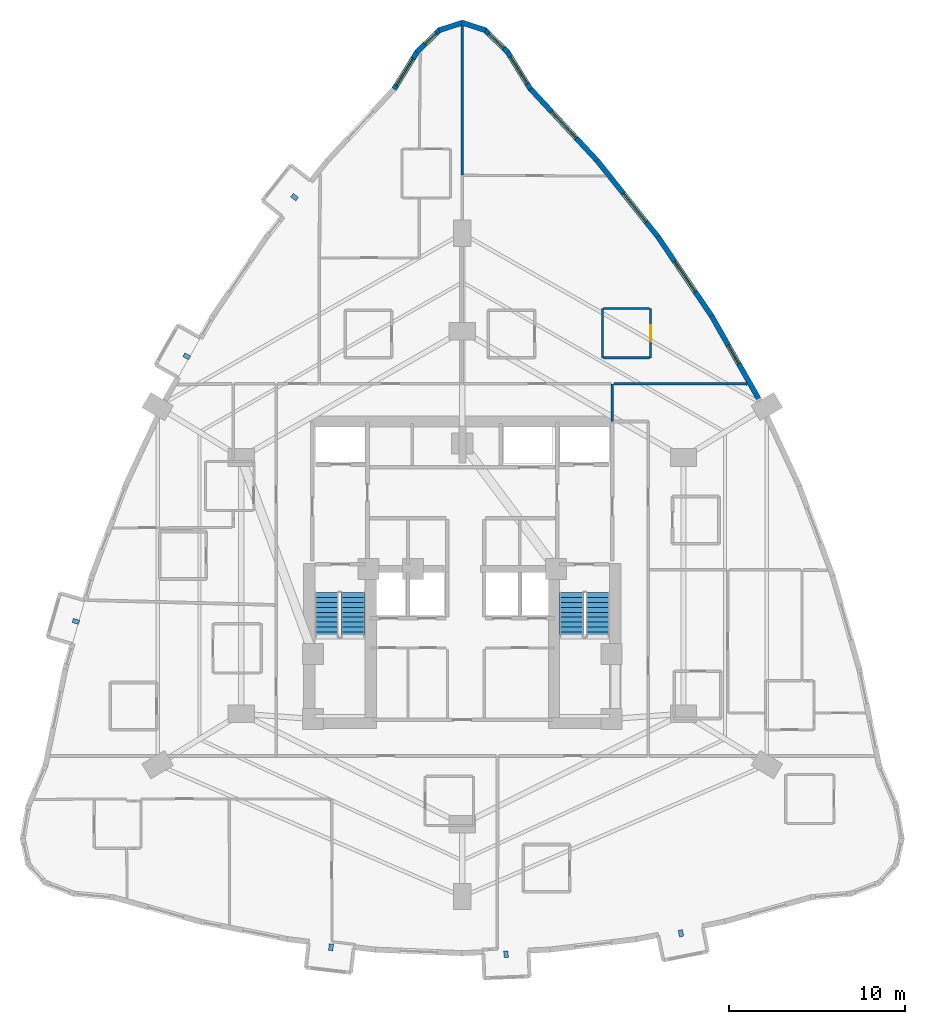
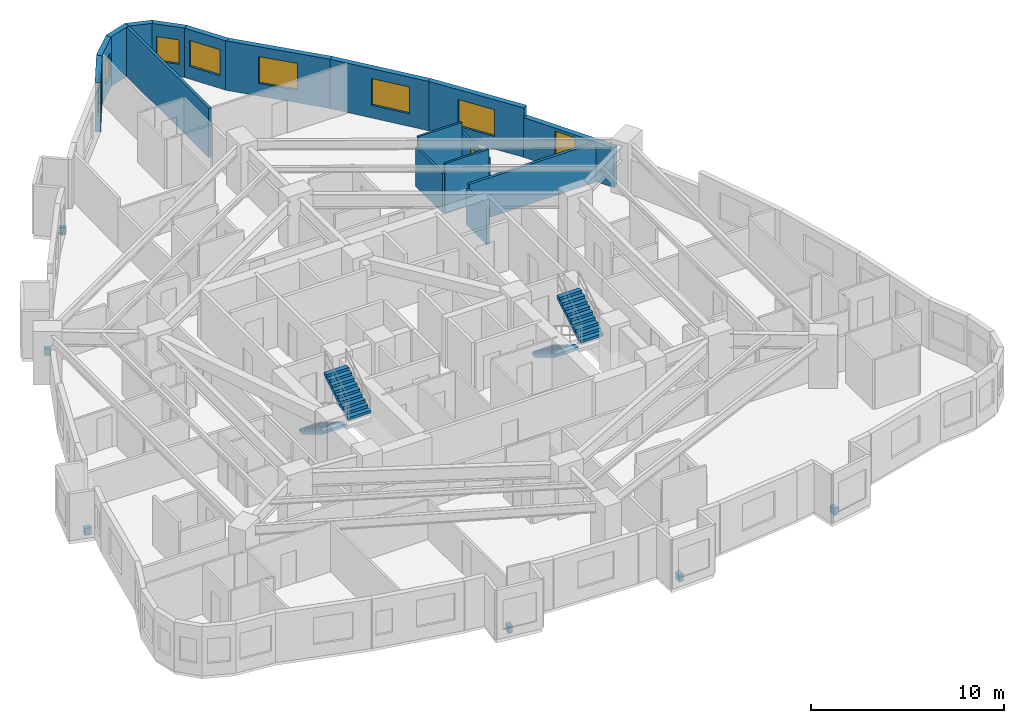
# One storey, part 14 of 15: 17 walls, 8 windows, 6 discrete accessories, 4 stair flights, 1 door, 9 openings, 2 elements without a shape of their own.
"""IFC4 building model written with IfcOpenShell, lengths in metres."""

from ifc_helpers import new_model, si_unit, direction, frame, frame_2d, origin, origin_2d, place, context, subcontext, project, spatial, polyline, rectangle, outline, extrude, material, layer, layer_set, type_object, element, fill, aggregate, save


model = new_model("IFC4")

# Units and contexts
model_context = context("Model", 3, precision=1e-05, world=origin(), true_north=direction((0.0, 1.0)))
body_context = subcontext(model_context, "Body", "Model", "MODEL_VIEW")
ifc_project = project(units=[si_unit("LENGTHUNIT", "METRE"), si_unit("AREAUNIT", "SQUARE_METRE"), si_unit("VOLUMEUNIT", "CUBIC_METRE"), si_unit("PLANEANGLEUNIT", "RADIAN"), si_unit("MASSUNIT", "GRAM", prefix="KILO")], contexts=[model_context])

# Site, building, storey
site_placement = place(None, origin())
site = spatial("IfcSite", under=ifc_project, at=site_placement, CompositionType="ELEMENT")
building_placement = place(site_placement, origin())
building = spatial("IfcBuilding", under=site, at=building_placement, Name="Miruveldt Soraemaru", CompositionType="ELEMENT")
storey_placement = place(building_placement, frame((0.0, 0.0, 36.0)))
storey = spatial("IfcBuildingStorey", under=building, at=storey_placement, Name="L09", CompositionType="ELEMENT", Elevation=36.0)

# Wall, opening, window
ifc_material_1 = material(Name="Precast concrete C45/55 (45 MPa)", Category="concrete")
ifc_layer_1 = layer(ifc_material_1, 0.300048828125, Name="Precast concrete C45/55 (45 MPa)", Category="concrete")
ifc_layer_set_1 = layer_set([ifc_layer_1], Name="Precast concrete C45/55 (45 MPa)")
wall_type_1 = type_object("IfcWallType", Name="WALL-EXT-PC300", PredefinedType="SOLIDWALL", material=ifc_layer_set_1)
wall_1_placement = place(storey_placement, frame((47.8857421875, 71.392578125, 0.0), z_axis=(0.0, 0.0, 1.0), x_axis=(-0.526057803578, 0.850448815212, 0.0)))
wall_1 = element("IfcWall", 1, at=wall_1_placement, inside=storey, type_object=wall_type_1, Name="L09 Precast Concrete Facade Wall 1", PredefinedType="SOLIDWALL", context=body_context, shape_type="SweptSolid", body=[
    extrude(rectangle(XDim=2.5205078125, YDim=0.300048828125, at=frame_2d((1.26025390625, 0.0))), origin(), (0.0, 0.0, 1.0), 3.125),
])
opening_1_placement = place(wall_1_placement, frame((0.360107421875, 0.0, 0.800048828125)))
opening_1 = element("IfcOpeningElement", 2, at=opening_1_placement, cuts=wall_1, Name="Opening WN-2", PredefinedType="OPENING", context=body_context, shape_type="SweptSolid", body=[
    extrude(rectangle(XDim=1.800048828125, YDim=1.64990234375, at=frame_2d((0.89990234375, 0.824951171875))), frame((0.0, 0.16015625, 0.0), z_axis=(0.0, -1.0, 0.0), x_axis=(1.0, 0.0, 0.0)), (0.0, 0.0, 1.0), 0.320068359375),
])
ifc_material_2 = material(Name="Triple low-e insulated glazing", Category="glass")
window_type_1 = type_object("IfcWindowType", Name="WIN-PUNCH-1800x1650", PartitioningType="SINGLE_PANEL", PredefinedType="WINDOW", material=ifc_material_2)
window_1_placement = place(opening_1_placement, origin())
window_1 = element("IfcWindow", 3, at=window_1_placement, inside=storey, type_object=window_type_1, Name="L09 Punched Triple-Glazed Window 01.1", OverallHeight=1.64990234375, OverallWidth=1.800048828125, PartitioningType="SINGLE_PANEL", PredefinedType="WINDOW", context=body_context, shape_type="SweptSolid", body=[
    extrude(rectangle(XDim=1.800048828125, YDim=1.64990234375, at=frame_2d((0.89990234375, 0.824951171875))), frame((0.0, 0.030029296875, 0.0), z_axis=(0.0, -1.0, 0.0), x_axis=(1.0, 0.0, 0.0)), (0.0, 0.0, 1.0), 0.06005859375),
])
fill(opening_1, window_1)

wall_2_placement = place(storey_placement, frame((46.603271484375, 73.48193359375, 0.0), z_axis=(0.0, 0.0, 1.0), x_axis=(-0.717753754605, 0.696297025521, 0.0)))
wall_2 = element("IfcWall", 4, at=wall_2_placement, inside=storey, type_object=wall_type_1, Name="L09 Precast Concrete Facade Wall 2", PredefinedType="SOLIDWALL", context=body_context, shape_type="SweptSolid", body=[
    extrude(rectangle(XDim=1.865966796875, YDim=0.300048828125, at=frame_2d((0.93310546875, 0.0))), origin(), (0.0, 0.0, 1.0), 3.125),
])
opening_2_placement = place(wall_2_placement, frame((0.3330078125, 0.0, 0.780029296875)))
opening_2 = element("IfcOpeningElement", 5, at=opening_2_placement, cuts=wall_2, Name="Opening WN-4", PredefinedType="OPENING", context=body_context, shape_type="SweptSolid", body=[
    extrude(rectangle(XDim=1.199951171875, YDim=1.550048828125, at=frame_2d((0.60009765625, 0.77490234375))), frame((0.0, 0.16015625, 0.0), z_axis=(0.0, -1.0, 0.0), x_axis=(1.0, 0.0, 0.0)), (0.0, 0.0, 1.0), 0.320068359375),
])
window_type_2 = type_object("IfcWindowType", Name="WIN-PUNCH-1200x1550", PartitioningType="SINGLE_PANEL", PredefinedType="WINDOW", material=ifc_material_2)
window_2_placement = place(opening_2_placement, origin())
window_2 = element("IfcWindow", 6, at=window_2_placement, inside=storey, type_object=window_type_2, Name="L09 Punched Triple-Glazed Window 02.1", OverallHeight=1.550048828125, OverallWidth=1.199951171875, PartitioningType="SINGLE_PANEL", PredefinedType="WINDOW", context=body_context, shape_type="SweptSolid", body=[
    extrude(rectangle(XDim=1.199951171875, YDim=1.550048828125, at=frame_2d((0.60009765625, 0.77490234375))), frame((0.0, 0.030029296875, 0.0), z_axis=(0.0, -1.0, 0.0), x_axis=(1.0, 0.0, 0.0)), (0.0, 0.0, 1.0), 0.06005859375),
])
fill(opening_2, window_2)

# Walls
for number, where, z_axis, x_axis, name in (
    (7, (45.322509765625, 74.74609375, 0.0), (0.0, 0.0, 1.0), (-0.951522717075, 0.307578475986, 0.0), "L09 Precast Concrete Facade Wall 3"),
    (8, (44.033203125, 75.184326171875, 0.0), (0.0, 0.0, 1.0), (-0.951522717075, -0.307578475986, 0.0), "L09 Precast Concrete Facade Wall 4"),
):
    element("IfcWall", number, at=place(storey_placement, frame(where, z_axis=z_axis, x_axis=x_axis)), inside=storey, type_object=wall_type_1, Name=name, PredefinedType="SOLIDWALL", context=body_context, shape_type="SweptSolid", body=[
        extrude(rectangle(XDim=1.4248046875, YDim=0.300048828125, at=frame_2d((0.71240234375, 0.0))), origin(), (0.0, 0.0, 1.0), 3.125),
    ])

# Wall, opening, window
wall_3_placement = place(storey_placement, frame((42.736083984375, 74.78125, 0.0), z_axis=(0.0, 0.0, 1.0), x_axis=(-0.717753754605, -0.696297025521, 0.0)))
wall_3 = element("IfcWall", 9, at=wall_3_placement, inside=storey, type_object=wall_type_1, Name="L09 Precast Concrete Facade Wall 5", PredefinedType="SOLIDWALL", context=body_context, shape_type="SweptSolid", body=[
    extrude(rectangle(XDim=1.865966796875, YDim=0.300048828125, at=frame_2d((0.93310546875, 0.0))), origin(), (0.0, 0.0, 1.0), 3.125),
])
opening_3_placement = place(wall_3_placement, frame((0.294921875, 0.0, 0.780029296875)))
opening_3 = element("IfcOpeningElement", 10, at=opening_3_placement, cuts=wall_3, Name="Opening WN-7", PredefinedType="OPENING", context=body_context, shape_type="SweptSolid", body=[
    extrude(rectangle(XDim=0.89990234375, YDim=1.5, at=frame_2d((0.449951171875, 0.75))), frame((0.0, 0.16015625, 0.0), z_axis=(0.0, -1.0, 0.0), x_axis=(1.0, 0.0, 0.0)), (0.0, 0.0, 1.0), 0.320068359375),
])
window_type_3 = type_object("IfcWindowType", Name="WIN-PUNCH-900x1500", PartitioningType="SINGLE_PANEL", PredefinedType="WINDOW", material=ifc_material_2)
window_3_placement = place(opening_3_placement, origin())
window_3 = element("IfcWindow", 11, at=window_3_placement, inside=storey, type_object=window_type_3, Name="L09 Punched Triple-Glazed Window 05.1", OverallHeight=1.5, OverallWidth=0.89990234375, PartitioningType="SINGLE_PANEL", PredefinedType="WINDOW", context=body_context, shape_type="SweptSolid", body=[
    extrude(rectangle(XDim=0.89990234375, YDim=1.5, at=frame_2d((0.449951171875, 0.75))), frame((0.0, 0.030029296875, 0.0), z_axis=(0.0, -1.0, 0.0), x_axis=(1.0, 0.0, 0.0)), (0.0, 0.0, 1.0), 0.06005859375),
])
fill(opening_3, window_3)

wall_4_placement = place(storey_placement, frame((41.440185546875, 73.5361328125, 0.0), z_axis=(0.0, 0.0, 1.0), x_axis=(-0.526057803578, -0.850448815212, 0.0)))
wall_4 = element("IfcWall", 12, at=wall_4_placement, inside=storey, type_object=wall_type_1, Name="L09 Precast Concrete Facade Wall 6", PredefinedType="SOLIDWALL", context=body_context, shape_type="SweptSolid", body=[
    extrude(rectangle(XDim=2.5205078125, YDim=0.300048828125, at=frame_2d((1.26025390625, 0.0))), origin(), (0.0, 0.0, 1.0), 3.125),
])
opening_4_placement = place(wall_4_placement, frame((0.468994140625, 0.0, 0.800048828125)))
opening_4 = element("IfcOpeningElement", 13, at=opening_4_placement, cuts=wall_4, Name="Opening WN-2", PredefinedType="OPENING", context=body_context, shape_type="SweptSolid", body=[
    extrude(rectangle(XDim=1.800048828125, YDim=1.64990234375, at=frame_2d((0.89990234375, 0.824951171875))), frame((0.0, 0.16015625, 0.0), z_axis=(0.0, -1.0, 0.0), x_axis=(1.0, 0.0, 0.0)), (0.0, 0.0, 1.0), 0.320068359375),
])
window_4_placement = place(opening_4_placement, origin())
window_4 = element("IfcWindow", 14, at=window_4_placement, inside=storey, type_object=window_type_1, Name="L09 Punched Triple-Glazed Window 06.1", OverallHeight=1.64990234375, OverallWidth=1.800048828125, PartitioningType="SINGLE_PANEL", PredefinedType="WINDOW", context=body_context, shape_type="SweptSolid", body=[
    extrude(rectangle(XDim=1.800048828125, YDim=1.64990234375, at=frame_2d((0.89990234375, 0.824951171875))), frame((0.0, 0.030029296875, 0.0), z_axis=(0.0, -1.0, 0.0), x_axis=(1.0, 0.0, 0.0)), (0.0, 0.0, 1.0), 0.06005859375),
])
fill(opening_4, window_4)

wall_5_placement = place(storey_placement, frame((60.915771484375, 53.69189453125, 0.0), z_axis=(0.0, 0.0, 1.0), x_axis=(-0.493368677129, 0.869820296629, 0.0)))
wall_5 = element("IfcWall", 15, at=wall_5_placement, inside=storey, type_object=wall_type_1, Name="L09 Precast Concrete Facade Wall 39", PredefinedType="SOLIDWALL", context=body_context, shape_type="SweptSolid", body=[
    extrude(rectangle(XDim=5.500244140625, YDim=0.300048828125, at=frame_2d((2.75, 0.0))), origin(), (0.0, 0.0, 1.0), 2.512939453125),
])
opening_5_placement = place(wall_5_placement, frame((2.35595703125, 0.0, 0.780029296875)))
opening_5 = element("IfcOpeningElement", 16, at=opening_5_placement, cuts=wall_5, Name="Opening WN-4", PredefinedType="OPENING", context=body_context, shape_type="SweptSolid", body=[
    extrude(rectangle(XDim=1.199951171875, YDim=1.550048828125, at=frame_2d((0.60009765625, 0.77490234375))), frame((0.0, 0.16015625, 0.0), z_axis=(0.0, -1.0, 0.0), x_axis=(1.0, 0.0, 0.0)), (0.0, 0.0, 1.0), 0.320068359375),
])
window_5_placement = place(opening_5_placement, origin())
window_5 = element("IfcWindow", 17, at=window_5_placement, inside=storey, type_object=window_type_2, Name="L09 Punched Triple-Glazed Window 39.1", OverallHeight=1.550048828125, OverallWidth=1.199951171875, PartitioningType="SINGLE_PANEL", PredefinedType="WINDOW", context=body_context, shape_type="SweptSolid", body=[
    extrude(rectangle(XDim=1.199951171875, YDim=1.550048828125, at=frame_2d((0.60009765625, 0.77490234375))), frame((0.0, 0.030029296875, 0.0), z_axis=(0.0, -1.0, 0.0), x_axis=(1.0, 0.0, 0.0)), (0.0, 0.0, 1.0), 0.06005859375),
])
fill(opening_5, window_5)

wall_6_placement = place(storey_placement, frame((58.239013671875, 58.416748046875, 0.0), z_axis=(0.0, 0.0, 1.0), x_axis=(-0.560813032948, 0.827942475101, 0.0)))
wall_6 = element("IfcWall", 18, at=wall_6_placement, inside=storey, type_object=wall_type_1, Name="L09 Precast Concrete Facade Wall 40", PredefinedType="SOLIDWALL", context=body_context, shape_type="SweptSolid", body=[
    extrude(rectangle(XDim=5.534912109375, YDim=0.300048828125, at=frame_2d((2.767578125, 0.0))), origin(), (0.0, 0.0, 1.0), 3.125),
])
opening_6_placement = place(wall_6_placement, frame((1.718017578125, 0.0, 0.800048828125)))
opening_6 = element("IfcOpeningElement", 19, at=opening_6_placement, cuts=wall_6, Name="Opening WN-1", PredefinedType="OPENING", context=body_context, shape_type="SweptSolid", body=[
    extrude(rectangle(XDim=2.10009765625, YDim=1.699951171875, at=frame_2d((1.050048828125, 0.85009765625))), frame((0.0, 0.16015625, 0.0), z_axis=(0.0, -1.0, 0.0), x_axis=(1.0, 0.0, 0.0)), (0.0, 0.0, 1.0), 0.320068359375),
])
window_type_4 = type_object("IfcWindowType", Name="WIN-PUNCH-2100x1700", PartitioningType="SINGLE_PANEL", PredefinedType="WINDOW", material=ifc_material_2)
window_6_placement = place(opening_6_placement, origin())
window_6 = element("IfcWindow", 20, at=window_6_placement, inside=storey, type_object=window_type_4, Name="L09 Punched Triple-Glazed Window 40.1", OverallHeight=1.699951171875, OverallWidth=2.10009765625, PartitioningType="SINGLE_PANEL", PredefinedType="WINDOW", context=body_context, shape_type="SweptSolid", body=[
    extrude(rectangle(XDim=2.10009765625, YDim=1.699951171875, at=frame_2d((1.050048828125, 0.85009765625))), frame((0.0, 0.030029296875, 0.0), z_axis=(0.0, -1.0, 0.0), x_axis=(1.0, 0.0, 0.0)), (0.0, 0.0, 1.0), 0.06005859375),
])
fill(opening_6, window_6)

wall_7_placement = place(storey_placement, frame((55.17626953125, 62.94287109375, 0.0), z_axis=(0.0, 0.0, 1.0), x_axis=(-0.623615831151, 0.781730960841, 0.0)))
wall_7 = element("IfcWall", 21, at=wall_7_placement, inside=storey, type_object=wall_type_1, Name="L09 Precast Concrete Facade Wall 41", PredefinedType="SOLIDWALL", context=body_context, shape_type="SweptSolid", body=[
    extrude(rectangle(XDim=5.603515625, YDim=0.300048828125, at=frame_2d((2.8017578125, 0.0))), origin(), (0.0, 0.0, 1.0), 3.125),
])
opening_7_placement = place(wall_7_placement, frame((1.126953125, 0.0, 0.800048828125)))
opening_7 = element("IfcOpeningElement", 22, at=opening_7_placement, cuts=wall_7, Name="Opening WN-1", PredefinedType="OPENING", context=body_context, shape_type="SweptSolid", body=[
    extrude(rectangle(XDim=2.10009765625, YDim=1.699951171875, at=frame_2d((1.050048828125, 0.85009765625))), frame((0.0, 0.16015625, 0.0), z_axis=(0.0, -1.0, 0.0), x_axis=(1.0, 0.0, 0.0)), (0.0, 0.0, 1.0), 0.320068359375),
])
window_7_placement = place(opening_7_placement, origin())
window_7 = element("IfcWindow", 23, at=window_7_placement, inside=storey, type_object=window_type_4, Name="L09 Punched Triple-Glazed Window 41.1", OverallHeight=1.699951171875, OverallWidth=2.10009765625, PartitioningType="SINGLE_PANEL", PredefinedType="WINDOW", context=body_context, shape_type="SweptSolid", body=[
    extrude(rectangle(XDim=2.10009765625, YDim=1.699951171875, at=frame_2d((1.050048828125, 0.85009765625))), frame((0.0, 0.030029296875, 0.0), z_axis=(0.0, -1.0, 0.0), x_axis=(1.0, 0.0, 0.0)), (0.0, 0.0, 1.0), 0.06005859375),
])
fill(opening_7, window_7)

wall_8_placement = place(storey_placement, frame((51.7275390625, 67.270263671875, 0.0), z_axis=(0.0, 0.0, 1.0), x_axis=(-0.680894211577, 0.732381780659, 0.0)))
wall_8 = element("IfcWall", 24, at=wall_8_placement, inside=storey, type_object=wall_type_1, Name="L09 Precast Concrete Facade Wall 42", PredefinedType="SOLIDWALL", context=body_context, shape_type="SweptSolid", body=[
    extrude(rectangle(XDim=5.704345703125, YDim=0.300048828125, at=frame_2d((2.85205078125, 0.0))), origin(), (0.0, 0.0, 1.0), 3.125),
])
opening_8_placement = place(wall_8_placement, frame((1.802001953125, 0.0, 0.800048828125)))
opening_8 = element("IfcOpeningElement", 25, at=opening_8_placement, cuts=wall_8, Name="Opening WN-1", PredefinedType="OPENING", context=body_context, shape_type="SweptSolid", body=[
    extrude(rectangle(XDim=2.10009765625, YDim=1.699951171875, at=frame_2d((1.050048828125, 0.85009765625))), frame((0.0, 0.16015625, 0.0), z_axis=(0.0, -1.0, 0.0), x_axis=(1.0, 0.0, 0.0)), (0.0, 0.0, 1.0), 0.320068359375),
])
window_8_placement = place(opening_8_placement, origin())
window_8 = element("IfcWindow", 26, at=window_8_placement, inside=storey, type_object=window_type_4, Name="L09 Punched Triple-Glazed Window 42.1", OverallHeight=1.699951171875, OverallWidth=2.10009765625, PartitioningType="SINGLE_PANEL", PredefinedType="WINDOW", context=body_context, shape_type="SweptSolid", body=[
    extrude(rectangle(XDim=2.10009765625, YDim=1.699951171875, at=frame_2d((1.050048828125, 0.85009765625))), frame((0.0, 0.030029296875, 0.0), z_axis=(0.0, -1.0, 0.0), x_axis=(1.0, 0.0, 0.0)), (0.0, 0.0, 1.0), 0.06005859375),
])
fill(opening_8, window_8)

# Wall, opening, door
ifc_material_3 = material(Name="Gypsum plasterboard lining", Category="gypsum")
ifc_layer_2 = layer(ifc_material_3, 0.1201171875, Name="Gypsum plasterboard lining", Category="gypsum")
ifc_layer_set_2 = layer_set([ifc_layer_2], Name="Gypsum plasterboard lining")
wall_type_2 = type_object("IfcWallType", Name="WALL-INT-P120", PredefinedType="PARTITIONING", material=ifc_layer_set_2)
wall_9_placement = place(storey_placement, frame((54.72998046875, 56.080078125, 0.0), z_axis=(0.0, 0.0, 1.0), x_axis=(0.0, 1.0, 0.0)))
wall_9 = element("IfcWall", 27, at=wall_9_placement, inside=storey, type_object=wall_type_2, Name="L09 Partition Wall 35", PredefinedType="PARTITIONING", context=body_context, shape_type="SweptSolid", body=[
    extrude(rectangle(XDim=2.7998046875, YDim=0.1201171875, at=frame_2d((1.39990234375, 0.0))), origin(), (0.0, 0.0, 1.0), 2.512939453125),
])
opening_9_placement = place(wall_9_placement, frame((0.93994140625, 0.0, 0.0)))
opening_9 = element("IfcOpeningElement", 28, at=opening_9_placement, cuts=wall_9, Name="Opening D3A", PredefinedType="OPENING", context=body_context, shape_type="SweptSolid", body=[
    extrude(rectangle(XDim=0.919921875, YDim=2.10009765625, at=frame_2d((0.4599609375, 1.050048828125))), frame((0.0, 0.070068359375, 0.0), z_axis=(0.0, -1.0, 0.0), x_axis=(1.0, 0.0, 0.0)), (0.0, 0.0, 1.0), 0.14013671875),
])
ifc_material_4 = material(Name="Anodised aluminium EN AW-6063 T6", Category="aluminium")
door_type = type_object("IfcDoorType", Name="DOOR-INT-920", OperationType="NOTDEFINED", PredefinedType="DOOR", material=ifc_material_4)
door_placement = place(opening_9_placement, origin())
door = element("IfcDoor", 29, at=door_placement, inside=storey, type_object=door_type, Name="L09 Unit CL03 KIT Door", OperationType="SINGLE_SWING_RIGHT", OverallHeight=2.10009765625, OverallWidth=0.919921875, PredefinedType="DOOR", context=body_context, shape_type="SweptSolid", body=[
    extrude(rectangle(XDim=0.919921875, YDim=2.10009765625, at=frame_2d((0.4599609375, 1.050048828125))), frame((0.0, 0.02490234375, 0.0), z_axis=(0.0, -1.0, 0.0), x_axis=(1.0, 0.0, 0.0)), (0.0, 0.0, 1.0), 0.050048828125),
])
fill(opening_9, door)

# Walls
wall_10_placement = place(storey_placement, frame((51.97998046875, 58.8798828125, 0.0), z_axis=(0.0, 0.0, 1.0), x_axis=(0.0, -1.0, 0.0)))
element("IfcWall", 30, at=wall_10_placement, inside=storey, type_object=wall_type_2, Name="L09 Partition Wall 37", PredefinedType="PARTITIONING", context=body_context, shape_type="SweptSolid", body=[
    extrude(rectangle(XDim=2.7998046875, YDim=0.1201171875, at=frame_2d((1.39990234375, 0.0))), origin(), (0.0, 0.0, 1.0), 2.512939453125),
])
for number, where, z_axis, x_axis, name in (
    (31, (54.669921875, 58.8798828125, 0.0), (0.0, 0.0, 1.0), (-1.0, 0.0, 0.0), "L09 Partition Wall 36"),
    (32, (52.0400390625, 56.080078125, 0.0), (0.0, 0.0, 1.0), (1.0, 0.0, 0.0), "L09 Partition Wall 38"),
):
    element("IfcWall", number, at=place(storey_placement, frame(where, z_axis=z_axis, x_axis=x_axis)), inside=storey, type_object=wall_type_2, Name=name, PredefinedType="PARTITIONING", context=body_context, shape_type="SweptSolid", body=[
        extrude(rectangle(XDim=2.6298828125, YDim=0.1201171875, at=frame_2d((1.31494140625, 0.0))), origin(), (0.0, 0.0, 1.0), 3.125),
    ])
ifc_material_5 = material(Name="Concrete C40/50 (40 MPa)", Category="concrete")
ifc_layer_3 = layer(ifc_material_5, 0.159912109375, Name="Concrete C40/50 (40 MPa)", Category="concrete")
ifc_layer_set_3 = layer_set([ifc_layer_3], Name="Concrete C40/50 (40 MPa)")
wall_type_3 = type_object("IfcWallType", Name="WALL-INT-RC160", PredefinedType="SOLIDWALL", material=ifc_layer_set_3)
wall_11_placement = place(storey_placement, frame((44.0, 66.48388671875, 0.0), z_axis=(0.0, 0.0, 1.0), x_axis=(0.0, 1.0, 0.0)))
element("IfcWall", 33, at=wall_11_placement, inside=storey, type_object=wall_type_3, Name="L09 Partition Wall 27", PredefinedType="SOLIDWALL", context=body_context, shape_type="SweptSolid", body=[
    extrude(rectangle(XDim=8.51611328125, YDim=0.159912109375, at=frame_2d((4.258056640625, 0.0))), origin(), (0.0, 0.0, 1.0), 3.125),
])
wall_12_placement = place(storey_placement, frame((52.633056640625, 54.60009765625, 0.0), z_axis=(0.0, 0.0, 1.0), x_axis=(0.999999867499, -0.000514783883, 0.0)))
element("IfcWall", 34, at=wall_12_placement, inside=storey, type_object=wall_type_3, Name="L09 Partition Wall 40", PredefinedType="SOLIDWALL", context=body_context, shape_type="SweptSolid", body=[
    extrude(rectangle(XDim=7.588134765625, YDim=0.159912109375, at=frame_2d((3.7939453125, 0.0))), origin(), (0.0, 0.0, 1.0), 2.512939453125),
])
wall_13_placement = place(storey_placement, frame((52.550048828125, 52.449951171875, 0.0), z_axis=(0.0, 0.0, 1.0), x_axis=(0.0, 1.0, 0.0)))
element("IfcWall", 35, at=wall_13_placement, inside=storey, type_object=wall_type_3, Name="L09 Partition Wall 8", PredefinedType="SOLIDWALL", context=body_context, shape_type="SweptSolid", body=[
    extrude(rectangle(XDim=2.14697265625, YDim=0.159912109375, at=frame_2d((1.073486328125, 0.0))), origin(), (0.0, 0.0, 1.0), 2.219970703125),
])

# Stair, stair flights
stair_type = type_object("IfcStairType", Name="STAIR-DL-340", PredefinedType="HALF_TURN_STAIR", material=ifc_material_5)
stair_1_placement = place(storey_placement, origin())
stair_1 = element("IfcStair", 36, at=stair_1_placement, inside=storey, type_object=stair_type, Name="L09 Protected Exit Stair ST-1", PredefinedType="HALF_TURN_STAIR")
stair_flight_type = type_object("IfcStairFlightType", Name="SFL-DL-340", PredefinedType="STRAIGHT", material=ifc_material_5)
stair_flight_1_placement = place(storey_placement, frame((36.27490234375, 42.699951171875, 0.0), z_axis=(0.0, 0.0, 1.0), x_axis=(0.0, -1.0, 0.0)))
stair_flight_1 = element("IfcStairFlight", 37, at=stair_flight_1_placement, type_object=stair_flight_type, Name="ST-1 flight 1", NumberOfRisers=10, NumberOfTreads=9, PredefinedType="STRAIGHT", RiserHeight=0.17, TreadLength=0.28, context=body_context, shape_type="SweptSolid", body=[
    extrude(outline(polyline([(0.0, 0.0), (0.0, 0.169921875), (0.280029296875, 0.169921875), (0.280029296875, 0.340087890625), (0.56005859375, 0.340087890625), (0.56005859375, 0.510009765625), (0.840087890625, 0.510009765625), (0.840087890625, 0.679931640625), (1.1201171875, 0.679931640625), (1.1201171875, 0.85009765625), (1.39990234375, 0.85009765625), (1.39990234375, 1.02001953125), (1.679931640625, 1.02001953125), (1.679931640625, 1.18994140625), (1.9599609375, 1.18994140625), (1.9599609375, 1.360107421875), (2.239990234375, 1.360107421875), (2.239990234375, 1.530029296875), (2.52001953125, 1.530029296875), (2.52001953125, 1.699951171875), (2.52001953125, 1.343017578125), (0.30810546875, 0.0), (0.0, 0.0)])), frame((0.0, 0.675048828125, 0.0), z_axis=(0.0, -1.0, 0.0), x_axis=(1.0, 0.0, 0.0)), (0.0, 0.0, 1.0), 1.35009765625),
])
stair_flight_2_placement = place(storey_placement, frame((37.77490234375, 40.179931640625, 1.699951171875), z_axis=(0.0, 0.0, 1.0), x_axis=(0.0, 1.0, 0.0)))
stair_flight_2 = element("IfcStairFlight", 38, at=stair_flight_2_placement, type_object=stair_flight_type, Name="ST-1 flight 2", NumberOfRisers=10, NumberOfTreads=9, PredefinedType="STRAIGHT", RiserHeight=0.17, TreadLength=0.28, context=body_context, shape_type="SweptSolid", body=[
    extrude(outline(polyline([(0.0, 0.0), (0.0, 0.169921875), (0.280029296875, 0.169921875), (0.280029296875, 0.340087890625), (0.56005859375, 0.340087890625), (0.56005859375, 0.510009765625), (0.840087890625, 0.510009765625), (0.840087890625, 0.679931640625), (1.1201171875, 0.679931640625), (1.1201171875, 0.85009765625), (1.39990234375, 0.85009765625), (1.39990234375, 1.02001953125), (1.679931640625, 1.02001953125), (1.679931640625, 1.18994140625), (1.9599609375, 1.18994140625), (1.9599609375, 1.360107421875), (2.239990234375, 1.360107421875), (2.239990234375, 1.530029296875), (2.52001953125, 1.530029296875), (2.52001953125, 1.699951171875), (2.52001953125, 1.343017578125), (0.30810546875, 0.0), (0.0, 0.0)])), frame((0.0, 0.675048828125, 0.0), z_axis=(0.0, -1.0, 0.0), x_axis=(1.0, 0.0, 0.0)), (0.0, 0.0, 1.0), 1.35009765625),
])
aggregate(stair_1, [stair_flight_1, stair_flight_2])

stair_2_placement = place(storey_placement, origin())
stair_2 = element("IfcStair", 39, at=stair_2_placement, inside=storey, type_object=stair_type, Name="L09 Protected Exit Stair ST-2", PredefinedType="HALF_TURN_STAIR")
stair_flight_3_placement = place(storey_placement, frame((50.22509765625, 42.699951171875, 0.0), z_axis=(0.0, 0.0, 1.0), x_axis=(0.0, -1.0, 0.0)))
stair_flight_3 = element("IfcStairFlight", 40, at=stair_flight_3_placement, type_object=stair_flight_type, Name="ST-2 flight 1", NumberOfRisers=10, NumberOfTreads=9, PredefinedType="STRAIGHT", RiserHeight=0.17, TreadLength=0.28, context=body_context, shape_type="SweptSolid", body=[
    extrude(outline(polyline([(0.0, 0.0), (0.0, 0.169921875), (0.280029296875, 0.169921875), (0.280029296875, 0.340087890625), (0.56005859375, 0.340087890625), (0.56005859375, 0.510009765625), (0.840087890625, 0.510009765625), (0.840087890625, 0.679931640625), (1.1201171875, 0.679931640625), (1.1201171875, 0.85009765625), (1.39990234375, 0.85009765625), (1.39990234375, 1.02001953125), (1.679931640625, 1.02001953125), (1.679931640625, 1.18994140625), (1.9599609375, 1.18994140625), (1.9599609375, 1.360107421875), (2.239990234375, 1.360107421875), (2.239990234375, 1.530029296875), (2.52001953125, 1.530029296875), (2.52001953125, 1.699951171875), (2.52001953125, 1.343017578125), (0.30810546875, 0.0), (0.0, 0.0)])), frame((0.0, 0.675048828125, 0.0), z_axis=(0.0, -1.0, 0.0), x_axis=(1.0, 0.0, 0.0)), (0.0, 0.0, 1.0), 1.35009765625),
])
stair_flight_4_placement = place(storey_placement, frame((51.72509765625, 40.179931640625, 1.699951171875), z_axis=(0.0, 0.0, 1.0), x_axis=(0.0, 1.0, 0.0)))
stair_flight_4 = element("IfcStairFlight", 41, at=stair_flight_4_placement, type_object=stair_flight_type, Name="ST-2 flight 2", NumberOfRisers=10, NumberOfTreads=9, PredefinedType="STRAIGHT", RiserHeight=0.17, TreadLength=0.28, context=body_context, shape_type="SweptSolid", body=[
    extrude(outline(polyline([(0.0, 0.0), (0.0, 0.169921875), (0.280029296875, 0.169921875), (0.280029296875, 0.340087890625), (0.56005859375, 0.340087890625), (0.56005859375, 0.510009765625), (0.840087890625, 0.510009765625), (0.840087890625, 0.679931640625), (1.1201171875, 0.679931640625), (1.1201171875, 0.85009765625), (1.39990234375, 0.85009765625), (1.39990234375, 1.02001953125), (1.679931640625, 1.02001953125), (1.679931640625, 1.18994140625), (1.9599609375, 1.18994140625), (1.9599609375, 1.360107421875), (2.239990234375, 1.360107421875), (2.239990234375, 1.530029296875), (2.52001953125, 1.530029296875), (2.52001953125, 1.699951171875), (2.52001953125, 1.343017578125), (0.30810546875, 0.0), (0.0, 0.0)])), frame((0.0, 0.675048828125, 0.0), z_axis=(0.0, -1.0, 0.0), x_axis=(1.0, 0.0, 0.0)), (0.0, 0.0, 1.0), 1.35009765625),
])
aggregate(stair_2, [stair_flight_3, stair_flight_4])

# Discrete accessories
ifc_material_6 = material(Name="Steel SM355 (355 MPa)", Category="steel")
discrete_accessory_type = type_object("IfcDiscreteAccessoryType", Name="ACC-BAY-BRK", PredefinedType="BRACKET", material=ifc_material_6)
for number, where, z_axis, x_axis, name in (
    (42, (34.44580078125, 65.23291015625, -0.72021484375), (0.0, 0.0, 1.0), (-0.781727315753, 0.623620400408, 0.0), "L09 Bay Window Cantilever Bracket 1"),
    (43, (28.302001953125, 56.162841796875, -0.72021484375), (0.0, 0.0, 1.0), (-0.869830943614, 0.493349905778, 0.0), "L09 Bay Window Cantilever Bracket 2"),
    (44, (21.986328125, 41.062744140625, -0.72021484375), (0.0, 0.0, 1.0), (-0.961449093633, 0.274982981932, 0.0), "L09 Bay Window Cantilever Bracket 3"),
    (45, (36.5224609375, 22.493896484375, -0.72021484375), (0.0, 0.0, 1.0), (-0.119149147143, -0.992876367296, 0.0), "L09 Bay Window Cantilever Bracket 4"),
    (46, (46.492431640625, 22.094970703125, -0.72021484375), (0.0, 0.0, 1.0), (0.03997483895, -0.999200686675, 0.0), "L09 Bay Window Cantilever Bracket 5"),
    (47, (56.4619140625, 23.291259765625, -0.72021484375), (0.0, 0.0, 1.0), (0.196100176415, -0.980583867301, 0.0), "L09 Bay Window Cantilever Bracket 6"),
):
    element("IfcDiscreteAccessory", number, at=place(storey_placement, frame(where, z_axis=z_axis, x_axis=x_axis)), inside=storey, type_object=discrete_accessory_type, Name=name, PredefinedType="BRACKET", context=body_context, shape_type="SweptSolid", body=[
        extrude(rectangle(XDim=0.3798828125, YDim=0.25, at=origin_2d()), origin(), (0.0, 0.0, 1.0), 0.449951171875),
    ])

save(model, "model.ifc")
